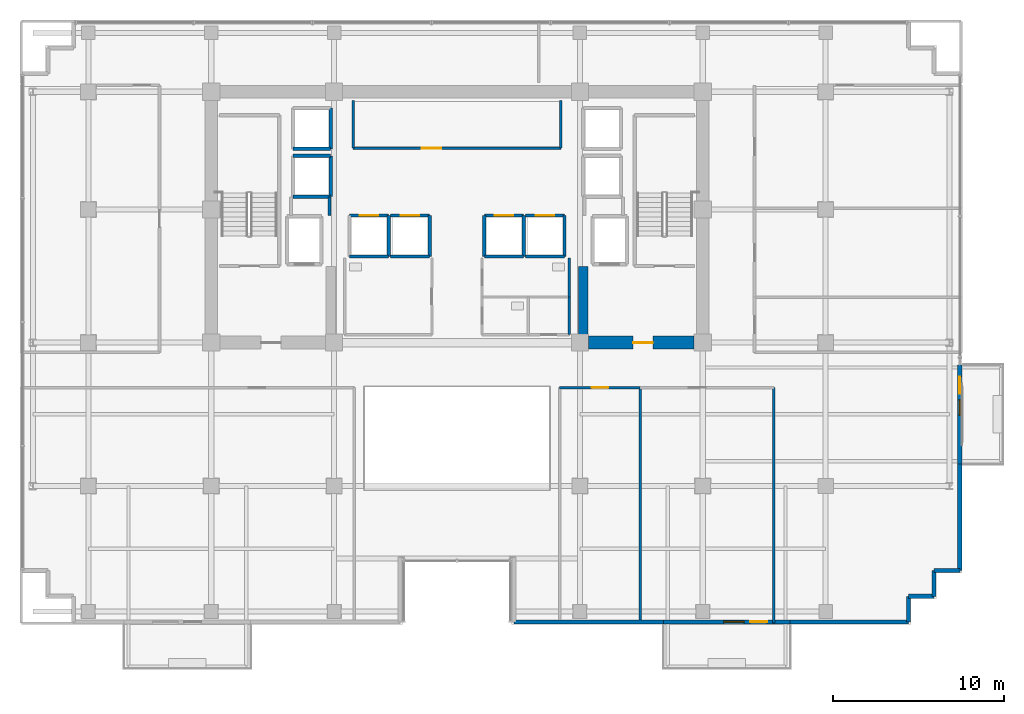
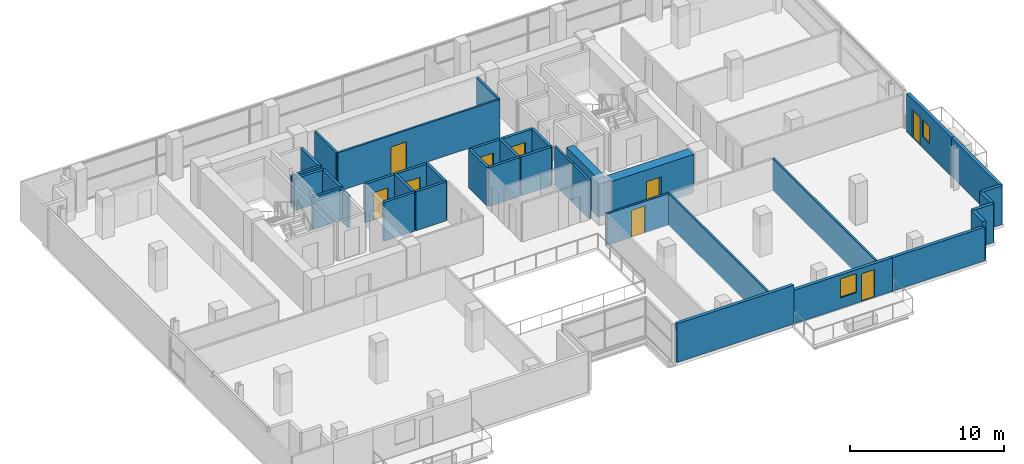
# One storey, part 18 of 25: 38 walls, 9 doors, 2 windows, 11 openings.
"""IFC4 building model written with IfcOpenShell, lengths in metres."""

import ifcopenshell
import ifcopenshell.guid

model = None  # the IFC model being written
_history = None  # IfcOwnerHistory: only IFC2X3 demands one
_inside = {}  # id of a spatial element -> (the spatial element, [elements in it])
_under = {}  # id of a project, library or spatial element -> (it, [spatial elements below it])
_declared = {}  # id of a project -> (the project, [libraries it declares])
_typed = {}  # id of a type object -> (the type object, [elements of that type])
_made_of = {}  # id of a material, layer set ... -> (it, [elements and type objects made of it])


def new_model(schema):
    """Start an empty IFC model of exactly this schema.

    Asked for "IFC4X3", IfcOpenShell would pick the latest addendum, in which some entities
    have other attributes; the version numbers below select the first issue.
    IFC2X3 requires an IfcOwnerHistory on every rooted entity: one is made here for all.
    """
    global model, _history
    if schema == "IFC4X3":
        model = ifcopenshell.file(schema_version=(4, 3, 0, 0))
    else:
        model = ifcopenshell.file(schema=schema)
    _inside.clear()
    _under.clear()
    _declared.clear()
    _typed.clear()
    _made_of.clear()
    _history = None
    if model.schema == "IFC2X3":
        org = make("IfcOrganization", Name="unknown")
        user = make(
            "IfcPersonAndOrganization",
            ThePerson=make("IfcPerson", FamilyName="unknown"),
            TheOrganization=org,
        )
        app = make(
            "IfcApplication",
            ApplicationDeveloper=org,
            Version="unknown",
            ApplicationFullName="unknown",
            ApplicationIdentifier="unknown",
        )
        _history = make(
            "IfcOwnerHistory",
            OwningUser=user,
            OwningApplication=app,
            ChangeAction="ADDED",
            CreationDate=0,
        )
    return model


def make(cls, **values):
    """One entity of the class cls with the attributes given. An attribute that is None is left unset."""
    return model.create_entity(
        cls, **{name: value for name, value in values.items() if value is not None}
    )


def rooted(cls, **values):
    """An entity with a GlobalId (a new one), such as an element, a storey or a relation."""
    return make(cls, GlobalId=ifcopenshell.guid.new(), OwnerHistory=_history, **values)


def si_unit(unit_type, name, prefix=None):
    """IfcSIUnit, for example si_unit("LENGTHUNIT", "METRE", prefix="MILLI")."""
    return make("IfcSIUnit", UnitType=unit_type, Prefix=prefix, Name=name)


def assignment(units):
    """IfcUnitAssignment: the units of a project."""
    return None if units is None else make("IfcUnitAssignment", Units=units)


def point(xyz):
    """IfcCartesianPoint."""
    return None if xyz is None else make("IfcCartesianPoint", Coordinates=xyz)


def direction(xyz):
    """IfcDirection."""
    return None if xyz is None else make("IfcDirection", DirectionRatios=xyz)


def frame(location, z_axis=None, x_axis=None):
    """IfcAxis2Placement3D, a coordinate frame: its origin and axes. An axis left out is left unset."""
    return make(
        "IfcAxis2Placement3D",
        Location=point(location),
        Axis=direction(z_axis),
        RefDirection=direction(x_axis),
    )


def frame_2d(location, x_axis=None):
    """IfcAxis2Placement2D, a coordinate frame in the plane: its origin and x axis."""
    return make(
        "IfcAxis2Placement2D", Location=point(location), RefDirection=direction(x_axis)
    )


def origin():
    """The frame at (0, 0, 0) with its axes left unset."""
    return frame((0.0, 0.0, 0.0))


def place(relative_to, where):
    """IfcLocalPlacement: puts the frame where relative to a parent placement (None: the world)."""
    return make(
        "IfcLocalPlacement", PlacementRelTo=relative_to, RelativePlacement=where
    )


def context(
    kind, dimensions, precision=None, world=None, true_north=None, identifier=None
):
    """IfcGeometricRepresentationContext, for example the 3D "Model" context."""
    return make(
        "IfcGeometricRepresentationContext",
        ContextIdentifier=identifier,
        ContextType=kind,
        CoordinateSpaceDimension=dimensions,
        Precision=precision,
        WorldCoordinateSystem=world,
        TrueNorth=true_north,
    )


def subcontext(parent, identifier, kind, view, scale=None):
    """IfcGeometricRepresentationSubContext, for example "Body" below "Model"."""
    return make(
        "IfcGeometricRepresentationSubContext",
        ContextIdentifier=identifier,
        ContextType=kind,
        ParentContext=parent,
        TargetScale=scale,
        TargetView=view,
    )


def project(units=None, contexts=None):
    """IfcProject with its units and contexts."""
    return rooted(
        "IfcProject",
        Name="project",
        RepresentationContexts=contexts,
        UnitsInContext=assignment(units),
    )


def spatial(cls, under=None, at=None, **own):
    """A site, building, storey or space (cls), placed at a placement, below another one or the project."""
    s = rooted(cls, ObjectPlacement=at, **own)
    if under is not None:
        _under.setdefault(under.id(), (under, []))[1].append(s)
    return s


def profile(cls, at=None, kind="AREA", **sizes):
    """A parametric profile (cls). Its sizes go by their IFC names, for example OverallWidth=200.0."""
    return make(cls, ProfileType=kind, Position=at, **sizes)


def rectangle(**sizes):
    """IfcRectangleProfileDef."""
    return profile("IfcRectangleProfileDef", **sizes)


def extrude(swept, where, along, depth):
    """IfcExtrudedAreaSolid: the profile swept, set in the frame where, extruded along a direction by depth."""
    return make(
        "IfcExtrudedAreaSolid",
        SweptArea=swept,
        Position=where,
        ExtrudedDirection=direction(along),
        Depth=depth,
    )


def shape(context_of_items, identifier, shape_type, items):
    """IfcShapeRepresentation: the items that make up one representation, for example the "Body"."""
    return make(
        "IfcShapeRepresentation",
        ContextOfItems=context_of_items,
        RepresentationIdentifier=identifier,
        RepresentationType=shape_type,
        Items=items,
    )


def source(mapping_origin, context_of_items, identifier, shape_type, items):
    """IfcRepresentationMap: a shape defined once, which mapped items show again and again."""
    return make(
        "IfcRepresentationMap",
        MappingOrigin=mapping_origin,
        MappedRepresentation=shape(context_of_items, identifier, shape_type, items),
    )


def transform(
    local_origin,
    x_axis=None,
    y_axis=None,
    z_axis=None,
    scale=None,
    scale2=None,
    scale3=None,
    uniform=True,
):
    """IfcCartesianTransformationOperator3D, or its non-uniform kind. x_axis, y_axis, z_axis: its Axis1, 2, 3."""
    if uniform:
        return make(
            "IfcCartesianTransformationOperator3D",
            Axis1=direction(x_axis),
            Axis2=direction(y_axis),
            LocalOrigin=point(local_origin),
            Scale=scale,
            Axis3=direction(z_axis),
        )
    return make(
        "IfcCartesianTransformationOperator3DnonUniform",
        Axis1=direction(x_axis),
        Axis2=direction(y_axis),
        LocalOrigin=point(local_origin),
        Scale=scale,
        Axis3=direction(z_axis),
        Scale2=scale2,
        Scale3=scale3,
    )


def mapped(mapping_source, mapping_target):
    """IfcMappedItem: shows the shape of a source again, moved by a transform."""
    return make(
        "IfcMappedItem", MappingSource=mapping_source, MappingTarget=mapping_target
    )


def material(Name=None, Category=None):
    """IfcMaterial."""
    return make("IfcMaterial", Name=Name, Category=Category)


def layer(
    of_material, thickness, ventilated=None, Name=None, Category=None, Priority=None
):
    """IfcMaterialLayer: one layer of a wall or slab, of a material (None: an air gap)."""
    return make(
        "IfcMaterialLayer",
        Material=of_material,
        LayerThickness=thickness,
        IsVentilated=ventilated,
        Name=Name,
        Category=Category,
        Priority=Priority,
    )


def layer_set(layers, Name=None):
    """IfcMaterialLayerSet."""
    return make("IfcMaterialLayerSet", MaterialLayers=layers, LayerSetName=Name)


def made_of(thing, what):
    """Note that an element or type object is made of a material, layer set ...; save() writes the relation."""
    if what is not None:
        _made_of.setdefault(what.id(), (what, []))[1].append(thing)
    return thing


def type_object(cls, material=None, **own):
    """A type object (cls), such as IfcWallType, which elements share."""
    return made_of(rooted(cls, **own), material)


def element(
    cls,
    number,
    at=None,
    inside=None,
    cuts=None,
    type_object=None,
    material=None,
    context=None,
    identifier="Body",
    shape_type=None,
    held_by="IfcProductDefinitionShape",
    body=None,
    shapes=None,
    **own,
):
    """One element of the class cls, such as IfcWall. Its Tag is "e" and its number.

    at: its placement. inside: the storey or other place that contains it. cuts: it is an
    opening in that element (IfcRelVoidsElement). A single representation is given by context,
    identifier, shape_type and body (its items); several are given by shapes. held_by: the class
    of the entity that holds the representations. save() writes the other relations.
    """
    e = rooted(cls, Tag="e%d" % number, ObjectPlacement=at, **own)
    if body is not None:
        shapes = [shape(context, identifier, shape_type, body)]
    if shapes is not None:
        e.Representation = make(held_by, Representations=shapes)
    if inside is not None:
        _inside.setdefault(inside.id(), (inside, []))[1].append(e)
    if cuts is not None:
        rooted(
            "IfcRelVoidsElement", RelatingBuildingElement=cuts, RelatedOpeningElement=e
        )
    if type_object is not None:
        _typed.setdefault(type_object.id(), (type_object, []))[1].append(e)
    return made_of(e, material)


def fill(opening, filler):
    """IfcRelFillsElement: the door or window that sits in an opening."""
    return rooted(
        "IfcRelFillsElement",
        RelatingOpeningElement=opening,
        RelatedBuildingElement=filler,
    )


def aggregate(whole, parts):
    """IfcRelAggregates: a whole, such as a stair, and the parts it consists of."""
    return rooted("IfcRelAggregates", RelatingObject=whole, RelatedObjects=parts)


def save(model, path):
    """Write the relations noted so far, then the file.

    IfcRelAggregates (storeys below a building ...), IfcRelContainedInSpatialStructure (elements
    in a storey), IfcRelDefinesByType, IfcRelAssociatesMaterial and IfcRelDeclares: one each for
    every whole, place, type object, material and project.
    """
    for whole, parts in _under.values():
        aggregate(whole, parts)
    for where, things in _inside.values():
        rooted(
            "IfcRelContainedInSpatialStructure",
            RelatedElements=things,
            RelatingStructure=where,
        )
    for kind, things in _typed.values():
        rooted("IfcRelDefinesByType", RelatedObjects=things, RelatingType=kind)
    for what, things in _made_of.values():
        rooted("IfcRelAssociatesMaterial", RelatedObjects=things, RelatingMaterial=what)
    for by, libraries in _declared.values():
        rooted("IfcRelDeclares", RelatingContext=by, RelatedDefinitions=libraries)
    model.write(path)


model = new_model("IFC4")

# Units and contexts
model_context = context("Model", 3, precision=1e-05, world=origin(), true_north=direction((0.0, 1.0)))
body_context = subcontext(model_context, "Body", "Model", "MODEL_VIEW")
ifc_project = project(units=[si_unit("LENGTHUNIT", "METRE"), si_unit("AREAUNIT", "SQUARE_METRE"), si_unit("VOLUMEUNIT", "CUBIC_METRE"), si_unit("PLANEANGLEUNIT", "RADIAN"), si_unit("MASSUNIT", "GRAM", prefix="KILO")], contexts=[model_context])

# Site, building, storey
site_placement = place(None, origin())
site = spatial("IfcSite", under=ifc_project, at=site_placement, CompositionType="ELEMENT")
building_placement = place(site_placement, origin())
building = spatial("IfcBuilding", under=site, at=building_placement, Name="Zarnakvel Exchange Tower", CompositionType="ELEMENT")
storey_placement = place(building_placement, frame((0.0, 0.0, 126.39990234375)))
storey = spatial("IfcBuildingStorey", under=building, at=storey_placement, Name="L35", CompositionType="ELEMENT", Elevation=126.39990234375)

# Wall, opening, door
ifc_material_1 = material(Name="Concrete C60/75", Category="concrete")
ifc_layer_1 = layer(ifc_material_1, 0.75)
ifc_layer_set_1 = layer_set([ifc_layer_1], Name="Concrete C60/75")
wall_type_1 = type_object("IfcWallType", Name="CW-C3", PredefinedType="SHEAR", material=ifc_layer_set_1)
wall_1_placement = place(storey_placement, frame((13.89990234375, -1.199951171875, 0.0), z_axis=(0.0, 0.0, 1.0), x_axis=(-1.0, 0.0, 0.0)))
wall_1 = element("IfcWall", 1, at=wall_1_placement, inside=storey, type_object=wall_type_1, Name="L35 Rear Core Shear Wall SE (CW-C3)", PredefinedType="SHEAR", context=body_context, shape_type="SweptSolid", body=[
    extrude(rectangle(XDim=6.199951171875, YDim=0.75, at=frame_2d((3.10009765625, 0.0))), origin(), (0.0, 0.0, 1.0), 3.0751953125),
])
opening_1_placement = place(wall_1_placement, frame((2.425048828125, 0.0, 0.0)))
opening_1 = element("IfcOpeningElement", 2, at=opening_1_placement, cuts=wall_1, Name="Opening D-L35-04", PredefinedType="OPENING", context=body_context, shape_type="SweptSolid", body=[
    extrude(rectangle(XDim=1.14990234375, YDim=2.14990234375, at=frame_2d((0.574951171875, 1.074951171875))), frame((0.0, 0.385009765625, 0.0), z_axis=(0.0, -1.0, 0.0), x_axis=(1.0, 0.0, 0.0)), (0.0, 0.0, 1.0), 0.77001953125),
])
ifc_material_2 = material(Name="Painted Galvanised Steel S355", Category="steel")
door_type_1 = type_object("IfcDoorType", Name="DT-04", OperationType="NOTDEFINED", PredefinedType="DOOR", material=ifc_material_2)
shared_shape_1 = source(origin(), body_context, "Body", "SweptSolid", [
    extrude(rectangle(XDim=1.14990234375, YDim=2.14990234375, at=frame_2d((0.574951171875, 1.074951171875))), frame((0.0, 0.02490234375, 0.0), z_axis=(0.0, -1.0, 0.0), x_axis=(1.0, 0.0, 0.0)), (0.0, 0.0, 1.0), 0.050048828125),
])
door_1_placement = place(opening_1_placement, origin())
door_1 = element("IfcDoor", 3, at=door_1_placement, inside=storey, type_object=door_type_1, Name="L35 Firefighting Lobby East Door D-L35-04", OperationType="SINGLE_SWING_RIGHT", OverallHeight=2.14990234375, OverallWidth=1.14990234375, PredefinedType="DOOR", context=body_context, shape_type="MappedRepresentation", body=[
    mapped(shared_shape_1, transform((0.0, 0.0, 0.0), x_axis=(1.0, 0.0, 0.0), y_axis=(0.0, 1.0, 0.0), z_axis=(0.0, 0.0, 1.0), scale=1.0)),
])
fill(opening_1, door_1)

# Wall
ifc_layer_2 = layer(ifc_material_1, 0.550048828125)
ifc_layer_set_2 = layer_set([ifc_layer_2], Name="Concrete C60/75")
wall_type_2 = type_object("IfcWallType", Name="CW-C4", PredefinedType="SHEAR", material=ifc_layer_set_2)
wall_2_placement = place(storey_placement, frame((7.39990234375, -0.824951171875, 0.0), z_axis=(0.0, 0.0, 1.0), x_axis=(0.0, 1.0, 0.0)))
element("IfcWall", 4, at=wall_2_placement, inside=storey, type_object=wall_type_2, Name="L35 Rear Core Shear Wall IE (CW-C4)", PredefinedType="SHEAR", context=body_context, shape_type="SweptSolid", body=[
    extrude(rectangle(XDim=4.074951171875, YDim=0.550048828125, at=frame_2d((2.03759765625, 0.0))), origin(), (0.0, 0.0, 1.0), 3.0751953125),
])

# Wall, openings, door, window
ifc_material_3 = material(Name="Precast concrete C40/50", Category="concrete")
ifc_layer_3 = layer(ifc_material_3, 0.239990234375)
ifc_layer_set_3 = layer_set([ifc_layer_3], Name="Precast concrete C40/50")
wall_type_3 = type_object("IfcWallType", Name="EW-02", PredefinedType="SOLIDWALL", material=ifc_layer_set_3)
wall_3_placement = place(storey_placement, frame((19.5, -17.56005859375, 0.0), z_axis=(0.0, 0.0, 1.0), x_axis=(-1.0, 0.0, 0.0)))
wall_3 = element("IfcWall", 5, at=wall_3_placement, inside=storey, type_object=wall_type_3, Name="L35 Exterior Precast Spandrel Wall EW-BAL-L35-SE (EW-02)", PredefinedType="SOLIDWALL", context=body_context, shape_type="SweptSolid", body=[
    extrude(rectangle(XDim=7.39990234375, YDim=0.239990234375, at=frame_2d((3.699951171875, 0.0))), origin(), (0.0, 0.0, 1.0), 2.6650390625),
])
opening_2_placement = place(wall_3_placement, frame((1.33203125, 0.0, 0.0)))
opening_2 = element("IfcOpeningElement", 6, at=opening_2_placement, cuts=wall_3, Name="Opening BD-L35-02", PredefinedType="OPENING", context=body_context, shape_type="SweptSolid", body=[
    extrude(rectangle(XDim=1.0, YDim=2.199951171875, at=frame_2d((0.5, 1.10009765625))), frame((0.0, 0.1298828125, 0.0), z_axis=(0.0, -1.0, 0.0), x_axis=(1.0, 0.0, 0.0)), (0.0, 0.0, 1.0), 0.260009765625),
])
opening_3_placement = place(wall_3_placement, frame((2.681884765625, 0.0, 0.85009765625)))
opening_3 = element("IfcOpeningElement", 7, at=opening_3_placement, cuts=wall_3, Name="Opening WN-04", PredefinedType="OPENING", context=body_context, shape_type="SweptSolid", body=[
    extrude(rectangle(XDim=1.199951171875, YDim=1.5, at=frame_2d((0.60009765625, 0.75))), frame((0.0, 0.1298828125, 0.0), z_axis=(0.0, -1.0, 0.0), x_axis=(1.0, 0.0, 0.0)), (0.0, 0.0, 1.0), 0.260009765625),
])
ifc_material_4 = material(Name="Architectural Bronze Anodised Aluminium", Category="aluminium")
door_type_2 = type_object("IfcDoorType", Name="DT-09", OperationType="NOTDEFINED", PredefinedType="DOOR", material=ifc_material_4)
shared_shape_2 = source(origin(), body_context, "Body", "SweptSolid", [
    extrude(rectangle(XDim=1.0, YDim=2.199951171875, at=frame_2d((0.5, 1.10009765625))), frame((0.0, 0.02490234375, 0.0), z_axis=(0.0, -1.0, 0.0), x_axis=(1.0, 0.0, 0.0)), (0.0, 0.0, 1.0), 0.050048828125),
])
door_2_placement = place(opening_2_placement, origin())
door_2 = element("IfcDoor", 8, at=door_2_placement, inside=storey, type_object=door_type_2, Name="L35 Planted Loggia Balcony Door BD-L35-02", OperationType="SINGLE_SWING_RIGHT", OverallHeight=2.199951171875, OverallWidth=1.0, PredefinedType="DOOR", context=body_context, shape_type="MappedRepresentation", body=[
    mapped(shared_shape_2, transform((0.0, 0.0, 0.0), x_axis=(1.0, 0.0, 0.0), y_axis=(0.0, 1.0, 0.0), z_axis=(0.0, 0.0, 1.0), scale=1.0)),
])
fill(opening_2, door_2)
ifc_material_5 = material(Name="Double Low-E Laminated Vision Glass", Category="glass")
window_type_1 = type_object("IfcWindowType", Name="WN-04", PartitioningType="SINGLE_PANEL", PredefinedType="WINDOW", material=ifc_material_5)
shared_shape_3 = source(origin(), body_context, "Body", "SweptSolid", [
    extrude(rectangle(XDim=1.199951171875, YDim=1.5, at=frame_2d((0.60009765625, 0.75))), frame((0.0, 0.030029296875, 0.0), z_axis=(0.0, -1.0, 0.0), x_axis=(1.0, 0.0, 0.0)), (0.0, 0.0, 1.0), 0.06005859375),
])
window_1_placement = place(opening_3_placement, origin())
window_1 = element("IfcWindow", 9, at=window_1_placement, inside=storey, type_object=window_type_1, Name="L35 Loggia Daylight Window (WN-04)", OverallHeight=1.5, OverallWidth=1.199951171875, PartitioningType="SINGLE_PANEL", PredefinedType="WINDOW", context=body_context, shape_type="MappedRepresentation", body=[
    mapped(shared_shape_3, transform((0.0, 0.0, 0.0), x_axis=(1.0, 0.0, 0.0), y_axis=(0.0, 1.0, 0.0), z_axis=(0.0, 0.0, 1.0), scale=1.0)),
])
fill(opening_3, window_1)

wall_4_placement = place(storey_placement, frame((29.4599609375, -2.5, 0.0), z_axis=(0.0, 0.0, 1.0), x_axis=(0.0, -1.0, 0.0)))
wall_4 = element("IfcWall", 10, at=wall_4_placement, inside=storey, type_object=wall_type_3, Name="L35 Exterior Precast Spandrel Wall EW-BAL-L35-E (EW-02)", PredefinedType="SOLIDWALL", context=body_context, shape_type="SweptSolid", body=[
    extrude(rectangle(XDim=5.800048828125, YDim=0.239990234375, at=frame_2d((2.89990234375, 0.0))), origin(), (0.0, 0.0, 1.0), 3.0751953125),
])
opening_4_placement = place(wall_4_placement, frame((0.696044921875, 0.0, 0.0)))
opening_4 = element("IfcOpeningElement", 11, at=opening_4_placement, cuts=wall_4, Name="Opening BD-L35-03", PredefinedType="OPENING", context=body_context, shape_type="SweptSolid", body=[
    extrude(rectangle(XDim=1.0, YDim=2.199951171875, at=frame_2d((0.5, 1.10009765625))), frame((0.0, 0.1298828125, 0.0), z_axis=(0.0, -1.0, 0.0), x_axis=(1.0, 0.0, 0.0)), (0.0, 0.0, 1.0), 0.260009765625),
])
opening_5_placement = place(wall_4_placement, frame((2.0458984375, 0.0, 0.85009765625)))
opening_5 = element("IfcOpeningElement", 12, at=opening_5_placement, cuts=wall_4, Name="Opening WN-06", PredefinedType="OPENING", context=body_context, shape_type="SweptSolid", body=[
    extrude(rectangle(XDim=0.89990234375, YDim=1.35009765625, at=frame_2d((0.449951171875, 0.675048828125))), frame((0.0, 0.1298828125, 0.0), z_axis=(0.0, -1.0, 0.0), x_axis=(1.0, 0.0, 0.0)), (0.0, 0.0, 1.0), 0.260009765625),
])
door_3_placement = place(opening_4_placement, origin())
door_3 = element("IfcDoor", 13, at=door_3_placement, inside=storey, type_object=door_type_2, Name="L35 Planted Loggia Balcony Door BD-L35-03", OperationType="SINGLE_SWING_LEFT", OverallHeight=2.199951171875, OverallWidth=1.0, PredefinedType="DOOR", context=body_context, shape_type="MappedRepresentation", body=[
    mapped(shared_shape_2, transform((0.0, 0.0, 0.0), x_axis=(1.0, 0.0, 0.0), y_axis=(0.0, 1.0, 0.0), z_axis=(0.0, 0.0, 1.0), scale=1.0)),
])
fill(opening_4, door_3)
window_type_2 = type_object("IfcWindowType", Name="WN-06", PartitioningType="SINGLE_PANEL", PredefinedType="WINDOW", material=ifc_material_5)
shared_shape_4 = source(origin(), body_context, "Body", "SweptSolid", [
    extrude(rectangle(XDim=0.89990234375, YDim=1.35009765625, at=frame_2d((0.449951171875, 0.675048828125))), frame((0.0, 0.030029296875, 0.0), z_axis=(0.0, -1.0, 0.0), x_axis=(1.0, 0.0, 0.0)), (0.0, 0.0, 1.0), 0.06005859375),
])
window_2_placement = place(opening_5_placement, origin())
window_2 = element("IfcWindow", 14, at=window_2_placement, inside=storey, type_object=window_type_2, Name="L35 Loggia Daylight Window (WN-06)", OverallHeight=1.35009765625, OverallWidth=0.89990234375, PartitioningType="SINGLE_PANEL", PredefinedType="WINDOW", context=body_context, shape_type="MappedRepresentation", body=[
    mapped(shared_shape_4, transform((0.0, 0.0, 0.0), x_axis=(1.0, 0.0, 0.0), y_axis=(0.0, 1.0, 0.0), z_axis=(0.0, 0.0, 1.0), scale=1.0)),
])
fill(opening_5, window_2)

# Walls
wall_5_placement = place(storey_placement, frame((29.4599609375, -14.56005859375, 0.0), z_axis=(0.0, 0.0, 1.0), x_axis=(0.0, 1.0, 0.0)))
element("IfcWall", 15, at=wall_5_placement, inside=storey, type_object=wall_type_3, Name="L35 Exterior Precast Spandrel Wall EWC-L35-10 (EW-02)", PredefinedType="SOLIDWALL", context=body_context, shape_type="SweptSolid", body=[
    extrude(rectangle(XDim=6.260009765625, YDim=0.239990234375, at=frame_2d((3.1298828125, 0.0))), origin(), (0.0, 0.0, 1.0), 3.0751953125),
])
for number, where, z_axis, x_axis, name in (
    (16, (27.9599609375, -14.56005859375, 0.0), (0.0, 0.0, 1.0), (1.0, 0.0, 0.0), "L35 Exterior Precast Spandrel Wall EWC-L35-11 (EW-02)"),
    (17, (27.9599609375, -16.06005859375, 0.0), (0.0, 0.0, 1.0), (0.0, 1.0, 0.0), "L35 Exterior Precast Spandrel Wall EWC-L35-12 (EW-02)"),
    (18, (26.4599609375, -16.06005859375, 0.0), (0.0, 0.0, 1.0), (1.0, 0.0, 0.0), "L35 Exterior Precast Spandrel Wall EWC-L35-13 (EW-02)"),
    (19, (26.4599609375, -17.56005859375, 0.0), (0.0, 0.0, 1.0), (0.0, 1.0, 0.0), "L35 Exterior Precast Spandrel Wall EWC-L35-14 (EW-02)"),
):
    element("IfcWall", number, at=place(storey_placement, frame(where, z_axis=z_axis, x_axis=x_axis)), inside=storey, type_object=wall_type_3, Name=name, PredefinedType="SOLIDWALL", context=body_context, shape_type="SweptSolid", body=[
        extrude(rectangle(XDim=1.5, YDim=0.239990234375, at=frame_2d((0.75, 0.0))), origin(), (0.0, 0.0, 1.0), 3.0751953125),
    ])
wall_6_placement = place(storey_placement, frame((19.5, -17.56005859375, 0.0), z_axis=(0.0, 0.0, 1.0), x_axis=(1.0, 0.0, 0.0)))
element("IfcWall", 20, at=wall_6_placement, inside=storey, type_object=wall_type_3, Name="L35 Exterior Precast Spandrel Wall EWC-L35-15 (EW-02)", PredefinedType="SOLIDWALL", context=body_context, shape_type="SweptSolid", body=[
    extrude(rectangle(XDim=6.9599609375, YDim=0.239990234375, at=frame_2d((3.47998046875, 0.0))), origin(), (0.0, 0.0, 1.0), 2.6650390625),
])
wall_7_placement = place(storey_placement, frame((3.340087890625, -17.56005859375, 0.0), z_axis=(0.0, 0.0, 1.0), x_axis=(1.0, 0.0, 0.0)))
element("IfcWall", 21, at=wall_7_placement, inside=storey, type_object=wall_type_3, Name="L35 Exterior Precast Spandrel Wall EWC-L35-16 (EW-02)", PredefinedType="SOLIDWALL", context=body_context, shape_type="SweptSolid", body=[
    extrude(rectangle(XDim=8.760009765625, YDim=0.239990234375, at=frame_2d((4.3798828125, 0.0))), origin(), (0.0, 0.0, 1.0), 3.0751953125),
])

# Wall, opening, door
ifc_material_6 = material(Name="Fire-Rated Gypsum Stud Partition", Category="gypsum")
ifc_layer_4 = layer(ifc_material_6, 0.14990234375)
ifc_layer_set_4 = layer_set([ifc_layer_4], Name="Fire-Rated Gypsum Stud Partition")
wall_type_4 = type_object("IfcWallType", Name="PT-01", PredefinedType="PARTITIONING", material=ifc_layer_set_4)
wall_8_placement = place(storey_placement, frame((6.080078125, 10.199951171875, 0.0), z_axis=(0.0, 0.0, 1.0), x_axis=(-1.0, 0.0, 0.0)))
wall_8 = element("IfcWall", 22, at=wall_8_placement, inside=storey, type_object=wall_type_4, Name="L35 Partition Wall PWALL-L35-011 (PT-01)", PredefinedType="PARTITIONING", context=body_context, shape_type="SweptSolid", body=[
    extrude(rectangle(XDim=12.16015625, YDim=0.14990234375, at=frame_2d((6.080078125, 0.0))), origin(), (0.0, 0.0, 1.0), 3.0751953125),
])
opening_6_placement = place(wall_8_placement, frame((7.0048828125, 0.0, 0.0)))
opening_6 = element("IfcOpeningElement", 23, at=opening_6_placement, cuts=wall_8, Name="Opening D-L35-05", PredefinedType="OPENING", context=body_context, shape_type="SweptSolid", body=[
    extrude(rectangle(XDim=1.14990234375, YDim=2.14990234375, at=frame_2d((0.574951171875, 1.074951171875))), frame((0.0, 0.0849609375, 0.0), z_axis=(0.0, -1.0, 0.0), x_axis=(1.0, 0.0, 0.0)), (0.0, 0.0, 1.0), 0.169921875),
])
door_4_placement = place(opening_6_placement, origin())
door_4 = element("IfcDoor", 24, at=door_4_placement, inside=storey, type_object=door_type_1, Name="L35 Market Data Archive Suite Door D-L35-05", OperationType="SINGLE_SWING_LEFT", OverallHeight=2.14990234375, OverallWidth=1.14990234375, PredefinedType="DOOR", context=body_context, shape_type="MappedRepresentation", body=[
    mapped(shared_shape_1, transform((0.0, 0.0, 0.0), x_axis=(1.0, 0.0, 0.0), y_axis=(0.0, 1.0, 0.0), z_axis=(0.0, 0.0, 1.0), scale=1.0)),
])
fill(opening_6, door_4)

# Walls
for number, where, z_axis, x_axis, name in (
    (25, (-6.080078125, 10.199951171875, 0.0), (0.0, 0.0, 1.0), (0.0, 1.0, 0.0), "L35 Partition Wall PWALL-L35-012 (PT-01)"),
    (26, (6.080078125, 13.0, 0.0), (0.0, 0.0, 1.0), (0.0, -1.0, 0.0), "L35 Partition Wall PWALL-L35-013 (PT-01)"),
):
    element("IfcWall", number, at=place(storey_placement, frame(where, z_axis=z_axis, x_axis=x_axis)), inside=storey, type_object=wall_type_4, Name=name, PredefinedType="PARTITIONING", context=body_context, shape_type="SweptSolid", body=[
        extrude(rectangle(XDim=2.800048828125, YDim=0.14990234375, at=frame_2d((1.39990234375, 0.0))), origin(), (0.0, 0.0, 1.0), 3.0751953125),
    ])
wall_9_placement = place(storey_placement, frame((6.580078125, 1.47998046875, 0.0), z_axis=(0.0, 0.0, 1.0), x_axis=(0.0, -1.0, 0.0)))
element("IfcWall", 27, at=wall_9_placement, inside=storey, type_object=wall_type_4, Name="L35 Partition Wall PWALL-L35-024 (PT-01)", PredefinedType="PARTITIONING", context=body_context, shape_type="SweptSolid", body=[
    extrude(rectangle(XDim=2.2099609375, YDim=0.14990234375, at=frame_2d((1.10498046875, 0.0))), origin(), (0.0, 0.0, 1.0), 3.0751953125),
])

# Wall, opening, door
wall_10_placement = place(storey_placement, frame((6.02001953125, -3.830078125, 0.0), z_axis=(0.0, 0.0, 1.0), x_axis=(1.0, 0.0, 0.0)))
wall_10 = element("IfcWall", 28, at=wall_10_placement, inside=storey, type_object=wall_type_4, Name="L35 Partition Wall PWALL-L35-030 (PT-01)", PredefinedType="PARTITIONING", context=body_context, shape_type="SweptSolid", body=[
    extrude(rectangle(XDim=4.708984375, YDim=0.14990234375, at=frame_2d((2.3544921875, 0.0))), origin(), (0.0, 0.0, 1.0), 2.51513671875),
])
opening_7_placement = place(wall_10_placement, frame((1.864990234375, 0.0, 0.0)))
opening_7 = element("IfcOpeningElement", 29, at=opening_7_placement, cuts=wall_10, Name="Opening D-L35-11", PredefinedType="OPENING", context=body_context, shape_type="SweptSolid", body=[
    extrude(rectangle(XDim=0.97998046875, YDim=2.14990234375, at=frame_2d((0.489990234375, 1.074951171875))), frame((0.0, 0.0849609375, 0.0), z_axis=(0.0, -1.0, 0.0), x_axis=(1.0, 0.0, 0.0)), (0.0, 0.0, 1.0), 0.169921875),
])
ifc_material_7 = material(Name="Timber Acoustic Veneer", Category="wood")
door_type_3 = type_object("IfcDoorType", Name="DT-05", OperationType="NOTDEFINED", PredefinedType="DOOR", material=ifc_material_7)
shared_shape_5 = source(origin(), body_context, "Body", "SweptSolid", [
    extrude(rectangle(XDim=0.97998046875, YDim=2.14990234375, at=frame_2d((0.489990234375, 1.074951171875))), frame((0.0, 0.02490234375, 0.0), z_axis=(0.0, -1.0, 0.0), x_axis=(1.0, 0.0, 0.0)), (0.0, 0.0, 1.0), 0.050048828125),
])
door_5_placement = place(opening_7_placement, origin())
door_5 = element("IfcDoor", 30, at=door_5_placement, inside=storey, type_object=door_type_3, Name="L35 Meeting Room Door D-L35-11", OperationType="SINGLE_SWING_LEFT", OverallHeight=2.14990234375, OverallWidth=0.97998046875, PredefinedType="DOOR", context=body_context, shape_type="MappedRepresentation", body=[
    mapped(shared_shape_5, transform((0.0, 0.0, 0.0), x_axis=(1.0, 0.0, 0.0), y_axis=(0.0, 1.0, 0.0), z_axis=(0.0, 0.0, 1.0), scale=1.0)),
])
fill(opening_7, door_5)

# Walls
for number, where, z_axis, x_axis, name in (
    (31, (10.72900390625, -3.830078125, 0.0), (0.0, 0.0, 1.0), (0.0, -1.0, 0.0), "L35 Partition Wall PWALL-L35-032 (PT-01)"),
    (32, (18.56591796875, -3.830078125, 0.0), (0.0, 0.0, 1.0), (0.0, -1.0, 0.0), "L35 Partition Wall PWALL-L35-035 (PT-01)"),
):
    element("IfcWall", number, at=place(storey_placement, frame(where, z_axis=z_axis, x_axis=x_axis)), inside=storey, type_object=wall_type_4, Name=name, PredefinedType="PARTITIONING", context=body_context, shape_type="SweptSolid", body=[
        extrude(rectangle(XDim=13.7998046875, YDim=0.14990234375, at=frame_2d((6.89990234375, 0.0))), origin(), (0.0, 0.0, 1.0), 2.51513671875),
    ])
ifc_layer_5 = layer(ifc_material_6, 0.179931640625)
ifc_layer_set_5 = layer_set([ifc_layer_5], Name="Fire-Rated Gypsum Stud Partition")
wall_type_5 = type_object("IfcWallType", Name="PT-02", PredefinedType="PARTITIONING", material=ifc_layer_set_5)
wall_11_placement = place(storey_placement, frame((-7.469970703125, 7.330078125, 0.0), z_axis=(0.0, 0.0, 1.0), x_axis=(0.0, -1.0, 0.0)))
element("IfcWall", 33, at=wall_11_placement, inside=storey, type_object=wall_type_5, Name="L35 Partition Wall PWALL-L35-008 (PT-02)", PredefinedType="PARTITIONING", context=body_context, shape_type="SweptSolid", body=[
    extrude(rectangle(XDim=1.090087890625, YDim=0.179931640625, at=frame_2d((0.544921875, 0.0))), origin(), (0.0, 0.0, 1.0), 2.51513671875),
])
ifc_material_8 = material(Name="Moisture-Resistant Tile-Faced Partition", Category="gypsum")
ifc_layer_6 = layer(ifc_material_8, 0.135009765625)
ifc_layer_set_6 = layer_set([ifc_layer_6], Name="Moisture-Resistant Tile-Faced Partition")
wall_type_6 = type_object("IfcWallType", Name="PT-03", PredefinedType="PARTITIONING", material=ifc_layer_set_6)
wall_12_placement = place(storey_placement, frame((6.580078125, 3.760009765625, 0.0), z_axis=(0.0, 0.0, 1.0), x_axis=(0.0, -1.0, 0.0)))
element("IfcWall", 34, at=wall_12_placement, inside=storey, type_object=wall_type_6, Name="L35 Partition Wall PWALL-L35-019 (PT-03)", PredefinedType="PARTITIONING", context=body_context, shape_type="SweptSolid", body=[
    extrude(rectangle(XDim=2.280029296875, YDim=0.135009765625, at=frame_2d((1.14013671875, 0.0))), origin(), (0.0, 0.0, 1.0), 3.0751953125),
])
ifc_material_9 = material(Name="Concrete C40/50", Category="concrete")
ifc_layer_7 = layer(ifc_material_9, 0.199951171875)
ifc_layer_set_7 = layer_set([ifc_layer_7], Name="Concrete C40/50")
wall_type_7 = type_object("IfcWallType", Name="SW-01", PredefinedType="SOLIDWALL", material=ifc_layer_set_7)
wall_13_placement = place(storey_placement, frame((-4.0, 3.85009765625, 0.0), z_axis=(0.0, 0.0, 1.0), x_axis=(-1.0, 0.0, 0.0)))
element("IfcWall", 35, at=wall_13_placement, inside=storey, type_object=wall_type_7, Name="L35 PL-05 Hoistway Wall South", PredefinedType="SOLIDWALL", context=body_context, shape_type="SweptSolid", body=[
    extrude(rectangle(XDim=2.300048828125, YDim=0.199951171875, at=frame_2d((1.14990234375, 0.0))), origin(), (0.0, 0.0, 1.0), 3.0751953125),
])

# Wall, opening, door
wall_14_placement = place(storey_placement, frame((-6.300048828125, 6.25, 0.0), z_axis=(0.0, 0.0, 1.0), x_axis=(1.0, 0.0, 0.0)))
wall_14 = element("IfcWall", 36, at=wall_14_placement, inside=storey, type_object=wall_type_7, Name="L35 PL-05 Hoistway Wall North", PredefinedType="SOLIDWALL", context=body_context, shape_type="SweptSolid", body=[
    extrude(rectangle(XDim=2.300048828125, YDim=0.199951171875, at=frame_2d((1.14990234375, 0.0))), origin(), (0.0, 0.0, 1.0), 3.0751953125),
])
opening_8_placement = place(wall_14_placement, frame((0.60009765625, 0.0, 0.0)))
opening_8 = element("IfcOpeningElement", 37, at=opening_8_placement, cuts=wall_14, Name="Opening LD-PL-05-L35", PredefinedType="OPENING", context=body_context, shape_type="SweptSolid", body=[
    extrude(rectangle(XDim=1.10009765625, YDim=2.199951171875, at=frame_2d((0.550048828125, 1.10009765625))), frame((0.0, 0.10986328125, 0.0), z_axis=(0.0, -1.0, 0.0), x_axis=(1.0, 0.0, 0.0)), (0.0, 0.0, 1.0), 0.219970703125),
])
door_type_4 = type_object("IfcDoorType", Name="LDT-02", OperationType="NOTDEFINED", PredefinedType="DOOR", material=ifc_material_4)
shared_shape_6 = source(origin(), body_context, "Body", "SweptSolid", [
    extrude(rectangle(XDim=1.10009765625, YDim=2.199951171875, at=frame_2d((0.550048828125, 1.10009765625))), frame((0.0, 0.02490234375, 0.0), z_axis=(0.0, -1.0, 0.0), x_axis=(1.0, 0.0, 0.0)), (0.0, 0.0, 1.0), 0.050048828125),
])
door_6_placement = place(opening_8_placement, origin())
door_6 = element("IfcDoor", 38, at=door_6_placement, inside=storey, type_object=door_type_4, Name="L35 PL-05 Lift Landing Door LD-PL-05-L35", OperationType="DOUBLE_DOOR_SLIDING", OverallHeight=2.199951171875, OverallWidth=1.10009765625, PredefinedType="DOOR", context=body_context, shape_type="MappedRepresentation", body=[
    mapped(shared_shape_6, transform((0.0, 0.0, 0.0), x_axis=(1.0, 0.0, 0.0), y_axis=(0.0, 1.0, 0.0), z_axis=(0.0, 0.0, 1.0), scale=1.0)),
])
fill(opening_8, door_6)

# Walls
wall_15_placement = place(storey_placement, frame((-4.0, 6.25, 0.0), z_axis=(0.0, 0.0, 1.0), x_axis=(0.0, -1.0, 0.0)))
element("IfcWall", 39, at=wall_15_placement, inside=storey, type_object=wall_type_7, Name="L35 PL-05 Hoistway Wall East", PredefinedType="SOLIDWALL", context=body_context, shape_type="SweptSolid", body=[
    extrude(rectangle(XDim=2.39990234375, YDim=0.199951171875, at=frame_2d((1.199951171875, 0.0))), origin(), (0.0, 0.0, 1.0), 3.0751953125),
])
wall_16_placement = place(storey_placement, frame((-1.60009765625, 3.85009765625, 0.0), z_axis=(0.0, 0.0, 1.0), x_axis=(-1.0, 0.0, 0.0)))
element("IfcWall", 40, at=wall_16_placement, inside=storey, type_object=wall_type_7, Name="L35 PL-06 Hoistway Wall South", PredefinedType="SOLIDWALL", context=body_context, shape_type="SweptSolid", body=[
    extrude(rectangle(XDim=2.2998046875, YDim=0.199951171875, at=frame_2d((1.14990234375, 0.0))), origin(), (0.0, 0.0, 1.0), 3.0751953125),
])

# Wall, opening, door
wall_17_placement = place(storey_placement, frame((-3.89990234375, 6.25, 0.0), z_axis=(0.0, 0.0, 1.0), x_axis=(1.0, 0.0, 0.0)))
wall_17 = element("IfcWall", 41, at=wall_17_placement, inside=storey, type_object=wall_type_7, Name="L35 PL-06 Hoistway Wall North", PredefinedType="SOLIDWALL", context=body_context, shape_type="SweptSolid", body=[
    extrude(rectangle(XDim=2.2998046875, YDim=0.199951171875, at=frame_2d((1.14990234375, 0.0))), origin(), (0.0, 0.0, 1.0), 3.0751953125),
])
opening_9_placement = place(wall_17_placement, frame((0.60009765625, 0.0, 0.0)))
opening_9 = element("IfcOpeningElement", 42, at=opening_9_placement, cuts=wall_17, Name="Opening LD-PL-06-L35", PredefinedType="OPENING", context=body_context, shape_type="SweptSolid", body=[
    extrude(rectangle(XDim=1.10009765625, YDim=2.199951171875, at=frame_2d((0.550048828125, 1.10009765625))), frame((0.0, 0.10986328125, 0.0), z_axis=(0.0, -1.0, 0.0), x_axis=(1.0, 0.0, 0.0)), (0.0, 0.0, 1.0), 0.219970703125),
])
door_7_placement = place(opening_9_placement, origin())
door_7 = element("IfcDoor", 43, at=door_7_placement, inside=storey, type_object=door_type_4, Name="L35 PL-06 Lift Landing Door LD-PL-06-L35", OperationType="DOUBLE_DOOR_SLIDING", OverallHeight=2.199951171875, OverallWidth=1.10009765625, PredefinedType="DOOR", context=body_context, shape_type="MappedRepresentation", body=[
    mapped(shared_shape_6, transform((0.0, 0.0, 0.0), x_axis=(1.0, 0.0, 0.0), y_axis=(0.0, 1.0, 0.0), z_axis=(0.0, 0.0, 1.0), scale=1.0)),
])
fill(opening_9, door_7)

# Walls
wall_18_placement = place(storey_placement, frame((-1.60009765625, 6.25, 0.0), z_axis=(0.0, 0.0, 1.0), x_axis=(0.0, -1.0, 0.0)))
element("IfcWall", 44, at=wall_18_placement, inside=storey, type_object=wall_type_7, Name="L35 PL-06 Hoistway Wall East", PredefinedType="SOLIDWALL", context=body_context, shape_type="SweptSolid", body=[
    extrude(rectangle(XDim=2.39990234375, YDim=0.199951171875, at=frame_2d((1.199951171875, 0.0))), origin(), (0.0, 0.0, 1.0), 3.0751953125),
])
wall_19_placement = place(storey_placement, frame((3.89990234375, 3.85009765625, 0.0), z_axis=(0.0, 0.0, 1.0), x_axis=(-1.0, 0.0, 0.0)))
element("IfcWall", 45, at=wall_19_placement, inside=storey, type_object=wall_type_7, Name="L35 PL-07 Hoistway Wall South", PredefinedType="SOLIDWALL", context=body_context, shape_type="SweptSolid", body=[
    extrude(rectangle(XDim=2.2998046875, YDim=0.199951171875, at=frame_2d((1.14990234375, 0.0))), origin(), (0.0, 0.0, 1.0), 3.0751953125),
])

# Wall, opening, door
wall_20_placement = place(storey_placement, frame((1.60009765625, 6.25, 0.0), z_axis=(0.0, 0.0, 1.0), x_axis=(1.0, 0.0, 0.0)))
wall_20 = element("IfcWall", 46, at=wall_20_placement, inside=storey, type_object=wall_type_7, Name="L35 PL-07 Hoistway Wall North", PredefinedType="SOLIDWALL", context=body_context, shape_type="SweptSolid", body=[
    extrude(rectangle(XDim=2.2998046875, YDim=0.199951171875, at=frame_2d((1.14990234375, 0.0))), origin(), (0.0, 0.0, 1.0), 3.0751953125),
])
opening_10_placement = place(wall_20_placement, frame((0.60009765625, 0.0, 0.0)))
opening_10 = element("IfcOpeningElement", 47, at=opening_10_placement, cuts=wall_20, Name="Opening LD-PL-07-L35", PredefinedType="OPENING", context=body_context, shape_type="SweptSolid", body=[
    extrude(rectangle(XDim=1.10009765625, YDim=2.199951171875, at=frame_2d((0.550048828125, 1.10009765625))), frame((0.0, 0.10986328125, 0.0), z_axis=(0.0, -1.0, 0.0), x_axis=(1.0, 0.0, 0.0)), (0.0, 0.0, 1.0), 0.219970703125),
])
door_8_placement = place(opening_10_placement, origin())
door_8 = element("IfcDoor", 48, at=door_8_placement, inside=storey, type_object=door_type_4, Name="L35 PL-07 Lift Landing Door LD-PL-07-L35", OperationType="DOUBLE_DOOR_SLIDING", OverallHeight=2.199951171875, OverallWidth=1.10009765625, PredefinedType="DOOR", context=body_context, shape_type="MappedRepresentation", body=[
    mapped(shared_shape_6, transform((0.0, 0.0, 0.0), x_axis=(1.0, 0.0, 0.0), y_axis=(0.0, 1.0, 0.0), z_axis=(0.0, 0.0, 1.0), scale=1.0)),
])
fill(opening_10, door_8)

# Walls
for number, where, z_axis, x_axis, name in (
    (49, (1.60009765625, 3.85009765625, 0.0), (0.0, 0.0, 1.0), (0.0, 1.0, 0.0), "L35 PL-07 Hoistway Wall West"),
    (50, (3.89990234375, 6.25, 0.0), (0.0, 0.0, 1.0), (0.0, -1.0, 0.0), "L35 PL-07 Hoistway Wall East"),
):
    element("IfcWall", number, at=place(storey_placement, frame(where, z_axis=z_axis, x_axis=x_axis)), inside=storey, type_object=wall_type_7, Name=name, PredefinedType="SOLIDWALL", context=body_context, shape_type="SweptSolid", body=[
        extrude(rectangle(XDim=2.39990234375, YDim=0.199951171875, at=frame_2d((1.199951171875, 0.0))), origin(), (0.0, 0.0, 1.0), 3.0751953125),
    ])
wall_21_placement = place(storey_placement, frame((6.300048828125, 3.85009765625, 0.0), z_axis=(0.0, 0.0, 1.0), x_axis=(-1.0, 0.0, 0.0)))
element("IfcWall", 51, at=wall_21_placement, inside=storey, type_object=wall_type_7, Name="L35 PL-08 Hoistway Wall South", PredefinedType="SOLIDWALL", context=body_context, shape_type="SweptSolid", body=[
    extrude(rectangle(XDim=2.300048828125, YDim=0.199951171875, at=frame_2d((1.14990234375, 0.0))), origin(), (0.0, 0.0, 1.0), 3.0751953125),
])

# Wall, opening, door
wall_22_placement = place(storey_placement, frame((4.0, 6.25, 0.0), z_axis=(0.0, 0.0, 1.0), x_axis=(1.0, 0.0, 0.0)))
wall_22 = element("IfcWall", 52, at=wall_22_placement, inside=storey, type_object=wall_type_7, Name="L35 PL-08 Hoistway Wall North", PredefinedType="SOLIDWALL", context=body_context, shape_type="SweptSolid", body=[
    extrude(rectangle(XDim=2.300048828125, YDim=0.199951171875, at=frame_2d((1.14990234375, 0.0))), origin(), (0.0, 0.0, 1.0), 3.0751953125),
])
opening_11_placement = place(wall_22_placement, frame((0.60009765625, 0.0, 0.0)))
opening_11 = element("IfcOpeningElement", 53, at=opening_11_placement, cuts=wall_22, Name="Opening LD-PL-08-L35", PredefinedType="OPENING", context=body_context, shape_type="SweptSolid", body=[
    extrude(rectangle(XDim=1.10009765625, YDim=2.199951171875, at=frame_2d((0.550048828125, 1.10009765625))), frame((0.0, 0.10986328125, 0.0), z_axis=(0.0, -1.0, 0.0), x_axis=(1.0, 0.0, 0.0)), (0.0, 0.0, 1.0), 0.219970703125),
])
door_9_placement = place(opening_11_placement, origin())
door_9 = element("IfcDoor", 54, at=door_9_placement, inside=storey, type_object=door_type_4, Name="L35 PL-08 Lift Landing Door LD-PL-08-L35", OperationType="DOUBLE_DOOR_SLIDING", OverallHeight=2.199951171875, OverallWidth=1.10009765625, PredefinedType="DOOR", context=body_context, shape_type="MappedRepresentation", body=[
    mapped(shared_shape_6, transform((0.0, 0.0, 0.0), x_axis=(1.0, 0.0, 0.0), y_axis=(0.0, 1.0, 0.0), z_axis=(0.0, 0.0, 1.0), scale=1.0)),
])
fill(opening_11, door_9)

# Walls
wall_23_placement = place(storey_placement, frame((6.300048828125, 6.25, 0.0), z_axis=(0.0, 0.0, 1.0), x_axis=(0.0, -1.0, 0.0)))
element("IfcWall", 55, at=wall_23_placement, inside=storey, type_object=wall_type_7, Name="L35 PL-08 Hoistway Wall East", PredefinedType="SOLIDWALL", context=body_context, shape_type="SweptSolid", body=[
    extrude(rectangle(XDim=2.39990234375, YDim=0.199951171875, at=frame_2d((1.199951171875, 0.0))), origin(), (0.0, 0.0, 1.0), 3.0751953125),
])
for number, where, z_axis, x_axis, name in (
    (56, (-7.39990234375, 7.35009765625, 0.0), (0.0, 0.0, 1.0), (-1.0, 0.0, 0.0), "L35 PL-09 Hoistway Wall South"),
    (57, (-9.60009765625, 9.75, 0.0), (0.0, 0.0, 1.0), (1.0, 0.0, 0.0), "L35 PL-09 Hoistway Wall North"),
):
    element("IfcWall", number, at=place(storey_placement, frame(where, z_axis=z_axis, x_axis=x_axis)), inside=storey, type_object=wall_type_7, Name=name, PredefinedType="SOLIDWALL", context=body_context, shape_type="SweptSolid", body=[
        extrude(rectangle(XDim=2.2001953125, YDim=0.199951171875, at=frame_2d((1.10009765625, 0.0))), origin(), (0.0, 0.0, 1.0), 2.51513671875),
    ])
wall_24_placement = place(storey_placement, frame((-7.39990234375, 9.75, 0.0), z_axis=(0.0, 0.0, 1.0), x_axis=(0.0, -1.0, 0.0)))
element("IfcWall", 58, at=wall_24_placement, inside=storey, type_object=wall_type_7, Name="L35 PL-09 Hoistway Wall East", PredefinedType="SOLIDWALL", context=body_context, shape_type="SweptSolid", body=[
    extrude(rectangle(XDim=2.39990234375, YDim=0.199951171875, at=frame_2d((1.199951171875, 0.0))), origin(), (0.0, 0.0, 1.0), 2.51513671875),
])
wall_25_placement = place(storey_placement, frame((-7.39990234375, 10.14990234375, 0.0), z_axis=(0.0, 0.0, 1.0), x_axis=(-1.0, 0.0, 0.0)))
element("IfcWall", 59, at=wall_25_placement, inside=storey, type_object=wall_type_7, Name="L35 PL-10 Hoistway Wall South", PredefinedType="SOLIDWALL", context=body_context, shape_type="SweptSolid", body=[
    extrude(rectangle(XDim=2.2001953125, YDim=0.199951171875, at=frame_2d((1.10009765625, 0.0))), origin(), (0.0, 0.0, 1.0), 2.51513671875),
])
wall_26_placement = place(storey_placement, frame((-7.39990234375, 12.550048828125, 0.0), z_axis=(0.0, 0.0, 1.0), x_axis=(0.0, -1.0, 0.0)))
element("IfcWall", 60, at=wall_26_placement, inside=storey, type_object=wall_type_7, Name="L35 PL-10 Hoistway Wall East", PredefinedType="SOLIDWALL", context=body_context, shape_type="SweptSolid", body=[
    extrude(rectangle(XDim=2.400146484375, YDim=0.199951171875, at=frame_2d((1.2001953125, 0.0))), origin(), (0.0, 0.0, 1.0), 2.51513671875),
])

save(model, "model.ifc")
